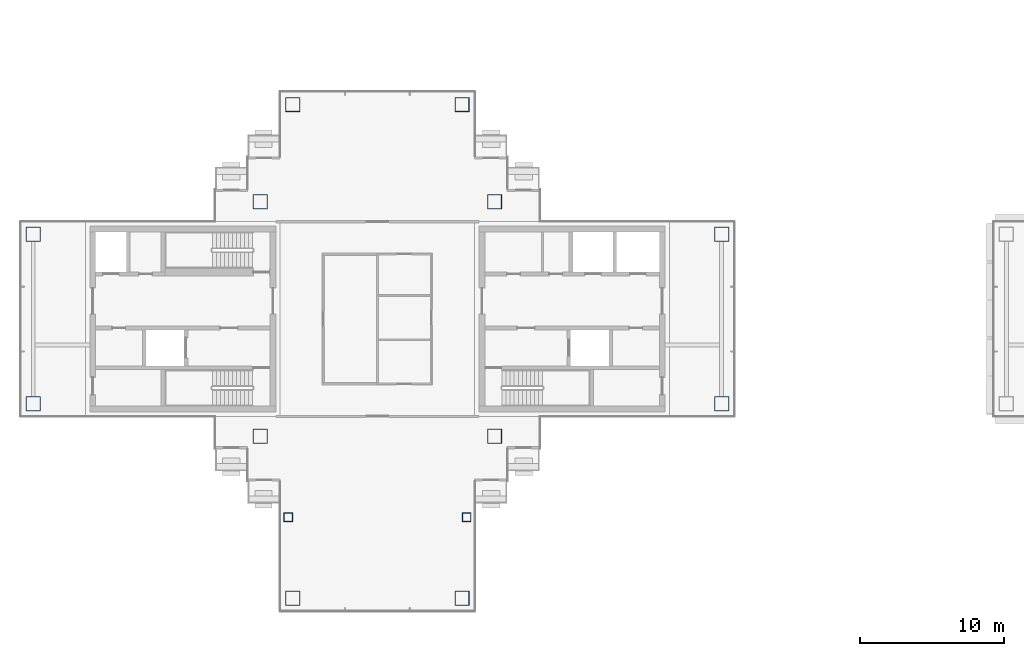
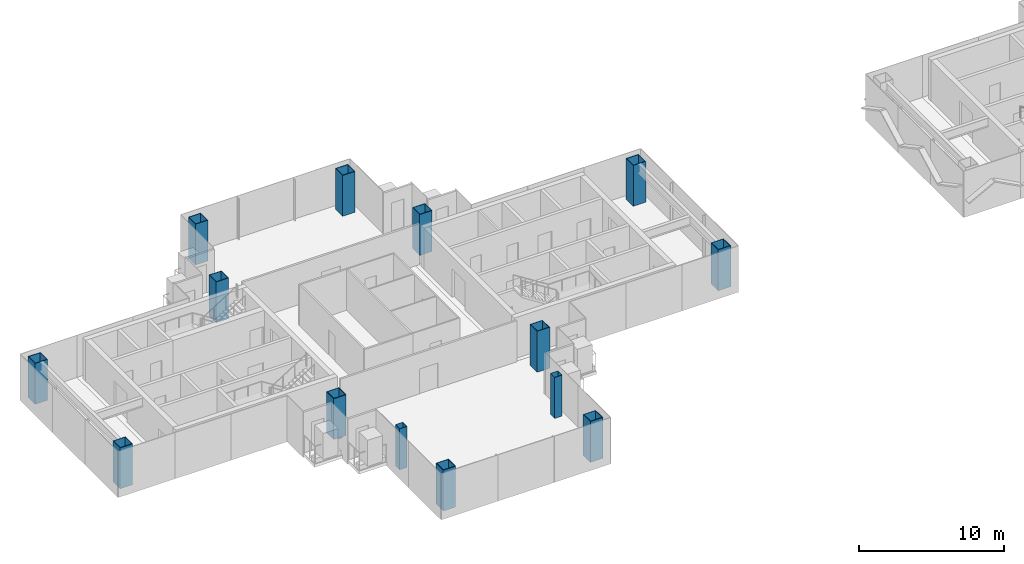
# One storey, part 1 of 17: 14 columns.
"""IFC4 building model written with IfcOpenShell, lengths in metres."""

import ifcopenshell
import ifcopenshell.guid

model = None  # the IFC model being written
_history = None  # IfcOwnerHistory: only IFC2X3 demands one
_inside = {}  # id of a spatial element -> (the spatial element, [elements in it])
_under = {}  # id of a project, library or spatial element -> (it, [spatial elements below it])
_declared = {}  # id of a project -> (the project, [libraries it declares])
_typed = {}  # id of a type object -> (the type object, [elements of that type])
_made_of = {}  # id of a material, layer set ... -> (it, [elements and type objects made of it])


def new_model(schema):
    """Start an empty IFC model of exactly this schema.

    Asked for "IFC4X3", IfcOpenShell would pick the latest addendum, in which some entities
    have other attributes; the version numbers below select the first issue.
    IFC2X3 requires an IfcOwnerHistory on every rooted entity: one is made here for all.
    """
    global model, _history
    if schema == "IFC4X3":
        model = ifcopenshell.file(schema_version=(4, 3, 0, 0))
    else:
        model = ifcopenshell.file(schema=schema)
    _inside.clear()
    _under.clear()
    _declared.clear()
    _typed.clear()
    _made_of.clear()
    _history = None
    if model.schema == "IFC2X3":
        org = make("IfcOrganization", Name="unknown")
        user = make(
            "IfcPersonAndOrganization",
            ThePerson=make("IfcPerson", FamilyName="unknown"),
            TheOrganization=org,
        )
        app = make(
            "IfcApplication",
            ApplicationDeveloper=org,
            Version="unknown",
            ApplicationFullName="unknown",
            ApplicationIdentifier="unknown",
        )
        _history = make(
            "IfcOwnerHistory",
            OwningUser=user,
            OwningApplication=app,
            ChangeAction="ADDED",
            CreationDate=0,
        )
    return model


def make(cls, **values):
    """One entity of the class cls with the attributes given. An attribute that is None is left unset."""
    return model.create_entity(
        cls, **{name: value for name, value in values.items() if value is not None}
    )


def rooted(cls, **values):
    """An entity with a GlobalId (a new one), such as an element, a storey or a relation."""
    return make(cls, GlobalId=ifcopenshell.guid.new(), OwnerHistory=_history, **values)


def si_unit(unit_type, name, prefix=None):
    """IfcSIUnit, for example si_unit("LENGTHUNIT", "METRE", prefix="MILLI")."""
    return make("IfcSIUnit", UnitType=unit_type, Prefix=prefix, Name=name)


def assignment(units):
    """IfcUnitAssignment: the units of a project."""
    return None if units is None else make("IfcUnitAssignment", Units=units)


def point(xyz):
    """IfcCartesianPoint."""
    return None if xyz is None else make("IfcCartesianPoint", Coordinates=xyz)


def direction(xyz):
    """IfcDirection."""
    return None if xyz is None else make("IfcDirection", DirectionRatios=xyz)


def frame(location, z_axis=None, x_axis=None):
    """IfcAxis2Placement3D, a coordinate frame: its origin and axes. An axis left out is left unset."""
    return make(
        "IfcAxis2Placement3D",
        Location=point(location),
        Axis=direction(z_axis),
        RefDirection=direction(x_axis),
    )


def frame_2d(location, x_axis=None):
    """IfcAxis2Placement2D, a coordinate frame in the plane: its origin and x axis."""
    return make(
        "IfcAxis2Placement2D", Location=point(location), RefDirection=direction(x_axis)
    )


def origin():
    """The frame at (0, 0, 0) with its axes left unset."""
    return frame((0.0, 0.0, 0.0))


def origin_2d():
    """The frame at (0, 0) in the plane with its x axis left unset."""
    return frame_2d((0.0, 0.0))


def place(relative_to, where):
    """IfcLocalPlacement: puts the frame where relative to a parent placement (None: the world)."""
    return make(
        "IfcLocalPlacement", PlacementRelTo=relative_to, RelativePlacement=where
    )


def context(
    kind, dimensions, precision=None, world=None, true_north=None, identifier=None
):
    """IfcGeometricRepresentationContext, for example the 3D "Model" context."""
    return make(
        "IfcGeometricRepresentationContext",
        ContextIdentifier=identifier,
        ContextType=kind,
        CoordinateSpaceDimension=dimensions,
        Precision=precision,
        WorldCoordinateSystem=world,
        TrueNorth=true_north,
    )


def subcontext(parent, identifier, kind, view, scale=None):
    """IfcGeometricRepresentationSubContext, for example "Body" below "Model"."""
    return make(
        "IfcGeometricRepresentationSubContext",
        ContextIdentifier=identifier,
        ContextType=kind,
        ParentContext=parent,
        TargetScale=scale,
        TargetView=view,
    )


def project(units=None, contexts=None):
    """IfcProject with its units and contexts."""
    return rooted(
        "IfcProject",
        Name="project",
        RepresentationContexts=contexts,
        UnitsInContext=assignment(units),
    )


def spatial(cls, under=None, at=None, **own):
    """A site, building, storey or space (cls), placed at a placement, below another one or the project."""
    s = rooted(cls, ObjectPlacement=at, **own)
    if under is not None:
        _under.setdefault(under.id(), (under, []))[1].append(s)
    return s


def profile(cls, at=None, kind="AREA", **sizes):
    """A parametric profile (cls). Its sizes go by their IFC names, for example OverallWidth=200.0."""
    return make(cls, ProfileType=kind, Position=at, **sizes)


def hollow_rectangle(**sizes):
    """IfcRectangleHollowProfileDef."""
    return profile("IfcRectangleHollowProfileDef", **sizes)


def extrude(swept, where, along, depth):
    """IfcExtrudedAreaSolid: the profile swept, set in the frame where, extruded along a direction by depth."""
    return make(
        "IfcExtrudedAreaSolid",
        SweptArea=swept,
        Position=where,
        ExtrudedDirection=direction(along),
        Depth=depth,
    )


def shape(context_of_items, identifier, shape_type, items):
    """IfcShapeRepresentation: the items that make up one representation, for example the "Body"."""
    return make(
        "IfcShapeRepresentation",
        ContextOfItems=context_of_items,
        RepresentationIdentifier=identifier,
        RepresentationType=shape_type,
        Items=items,
    )


def material(Name=None, Category=None):
    """IfcMaterial."""
    return make("IfcMaterial", Name=Name, Category=Category)


def material_profile(
    of_material, cross_section, Name=None, Category=None, Priority=None
):
    """IfcMaterialProfile: a cross section and its material."""
    return make(
        "IfcMaterialProfile",
        Name=Name,
        Material=of_material,
        Profile=cross_section,
        Priority=Priority,
        Category=Category,
    )


def profile_set(profiles, Name=None, composite=None):
    """IfcMaterialProfileSet."""
    return make(
        "IfcMaterialProfileSet",
        Name=Name,
        MaterialProfiles=profiles,
        CompositeProfile=composite,
    )


def made_of(thing, what):
    """Note that an element or type object is made of a material, layer set ...; save() writes the relation."""
    if what is not None:
        _made_of.setdefault(what.id(), (what, []))[1].append(thing)
    return thing


def type_object(cls, material=None, **own):
    """A type object (cls), such as IfcWallType, which elements share."""
    return made_of(rooted(cls, **own), material)


def element(
    cls,
    number,
    at=None,
    inside=None,
    cuts=None,
    type_object=None,
    material=None,
    context=None,
    identifier="Body",
    shape_type=None,
    held_by="IfcProductDefinitionShape",
    body=None,
    shapes=None,
    **own,
):
    """One element of the class cls, such as IfcWall. Its Tag is "e" and its number.

    at: its placement. inside: the storey or other place that contains it. cuts: it is an
    opening in that element (IfcRelVoidsElement). A single representation is given by context,
    identifier, shape_type and body (its items); several are given by shapes. held_by: the class
    of the entity that holds the representations. save() writes the other relations.
    """
    e = rooted(cls, Tag="e%d" % number, ObjectPlacement=at, **own)
    if body is not None:
        shapes = [shape(context, identifier, shape_type, body)]
    if shapes is not None:
        e.Representation = make(held_by, Representations=shapes)
    if inside is not None:
        _inside.setdefault(inside.id(), (inside, []))[1].append(e)
    if cuts is not None:
        rooted(
            "IfcRelVoidsElement", RelatingBuildingElement=cuts, RelatedOpeningElement=e
        )
    if type_object is not None:
        _typed.setdefault(type_object.id(), (type_object, []))[1].append(e)
    return made_of(e, material)


def aggregate(whole, parts):
    """IfcRelAggregates: a whole, such as a stair, and the parts it consists of."""
    return rooted("IfcRelAggregates", RelatingObject=whole, RelatedObjects=parts)


def save(model, path):
    """Write the relations noted so far, then the file.

    IfcRelAggregates (storeys below a building ...), IfcRelContainedInSpatialStructure (elements
    in a storey), IfcRelDefinesByType, IfcRelAssociatesMaterial and IfcRelDeclares: one each for
    every whole, place, type object, material and project.
    """
    for whole, parts in _under.values():
        aggregate(whole, parts)
    for where, things in _inside.values():
        rooted(
            "IfcRelContainedInSpatialStructure",
            RelatedElements=things,
            RelatingStructure=where,
        )
    for kind, things in _typed.values():
        rooted("IfcRelDefinesByType", RelatedObjects=things, RelatingType=kind)
    for what, things in _made_of.values():
        rooted("IfcRelAssociatesMaterial", RelatedObjects=things, RelatingMaterial=what)
    for by, libraries in _declared.values():
        rooted("IfcRelDeclares", RelatingContext=by, RelatedDefinitions=libraries)
    model.write(path)


model = new_model("IFC4")

# Units and contexts
model_context = context("Model", 3, precision=1e-05, world=origin(), true_north=direction((0.0, 1.0)))
body_context = subcontext(model_context, "Body", "Model", "MODEL_VIEW")
ifc_project = project(units=[si_unit("LENGTHUNIT", "METRE"), si_unit("AREAUNIT", "SQUARE_METRE"), si_unit("VOLUMEUNIT", "CUBIC_METRE"), si_unit("PLANEANGLEUNIT", "RADIAN"), si_unit("MASSUNIT", "GRAM", prefix="KILO")], contexts=[model_context])

# Site, building, storey
site_placement = place(None, origin())
site = spatial("IfcSite", under=ifc_project, at=site_placement, CompositionType="ELEMENT")
building_placement = place(site_placement, origin())
building = spatial("IfcBuilding", under=site, at=building_placement, Name="Shamsa Quay Exchange Towers", CompositionType="ELEMENT")
storey_placement = place(building_placement, frame((0.0, 0.0, 221.699951171875)))
storey = spatial("IfcBuildingStorey", under=building, at=storey_placement, Name="L53", CompositionType="ELEMENT", Elevation=221.699951171875)

# Columns
ifc_material_1 = material(Name="Concrete-filled steel tube S355 / C80/95", Category="concrete")
ifc_material_profile_1 = material_profile(ifc_material_1, hollow_rectangle(XDim=1.0, YDim=1.0, WallThickness=0.0400390625, at=origin_2d()), Name="CFT 1000x1000x40")
ifc_profile_set_1 = profile_set([ifc_material_profile_1], Name="Concrete-filled steel tube S355 / C80/95")
column_type_1 = type_object("IfcColumnType", Name="Column CFT 1000x1000x40", PredefinedType="COLUMN", material=ifc_profile_set_1)
for number, where, name in (
    (1, (-25.625, 8.125, 0.0), "Mega column T1-CM01"),
    (2, (-25.625, -8.125, 0.0), "Mega column T1-CM02"),
    (3, (-41.875, 8.125, 0.0), "Mega column T1-CM03"),
    (4, (-41.875, -8.125, 0.0), "Mega column T1-CM04"),
    (5, (-9.875, -5.875, 0.0), "Mega column T1-CM05"),
    (6, (-9.875, 5.875, 0.0), "Mega column T1-CM07"),
    (7, (-57.625, -5.875, 0.0), "Mega column T1-CM09"),
    (8, (-57.625, 5.875, 0.0), "Mega column T1-CM11"),
    (9, (-39.625, 14.875, 0.0), "Mega column T1-CM13"),
    (10, (-27.875, 14.875, 0.0), "Mega column T1-CM16"),
    (11, (-39.625, -19.375, 0.0), "Mega column T1-CM20"),
    (12, (-27.875, -19.375, 0.0), "Mega column T1-CM23"),
):
    element("IfcColumn", number, at=place(storey_placement, frame(where)), inside=storey, type_object=column_type_1, Name=name, PredefinedType="COLUMN", context=body_context, shape_type="SweptSolid", body=[
        extrude(hollow_rectangle(XDim=1.0, YDim=1.0, WallThickness=0.0400390625, at=origin_2d()), origin(), (0.0, 0.0, 1.0), 3.449951171875),
    ])
ifc_material_2 = material(Name="Concrete-filled steel tube S355 / C60/75", Category="concrete")
ifc_material_profile_2 = material_profile(ifc_material_2, hollow_rectangle(XDim=0.60009765625, YDim=0.60009765625, WallThickness=0.02001953125, at=origin_2d()), Name="CFT 600x600x20")
ifc_profile_set_2 = profile_set([ifc_material_profile_2], Name="Concrete-filled steel tube S355 / C60/75")
column_type_2 = type_object("IfcColumnType", Name="Column CFT 600x600x20", PredefinedType="COLUMN", material=ifc_profile_set_2)
for number, where, name in (
    (13, (-39.9375, -13.75, 0.0), "Perimeter column T1-CP19"),
    (14, (-27.5625, -13.75, 0.0), "Perimeter column T1-CP22"),
):
    element("IfcColumn", number, at=place(storey_placement, frame(where)), inside=storey, type_object=column_type_2, Name=name, PredefinedType="COLUMN", context=body_context, shape_type="SweptSolid", body=[
        extrude(hollow_rectangle(XDim=0.60009765625, YDim=0.60009765625, WallThickness=0.02001953125, at=origin_2d()), origin(), (0.0, 0.0, 1.0), 3.449951171875),
    ])

save(model, "model.ifc")
